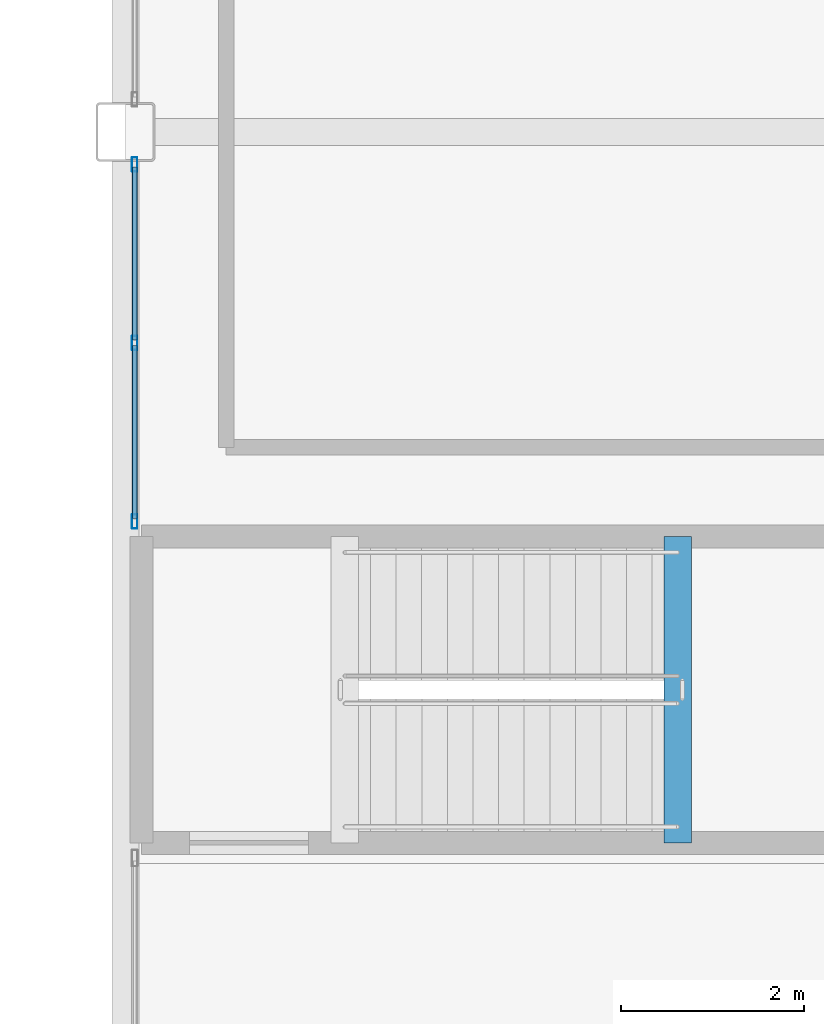
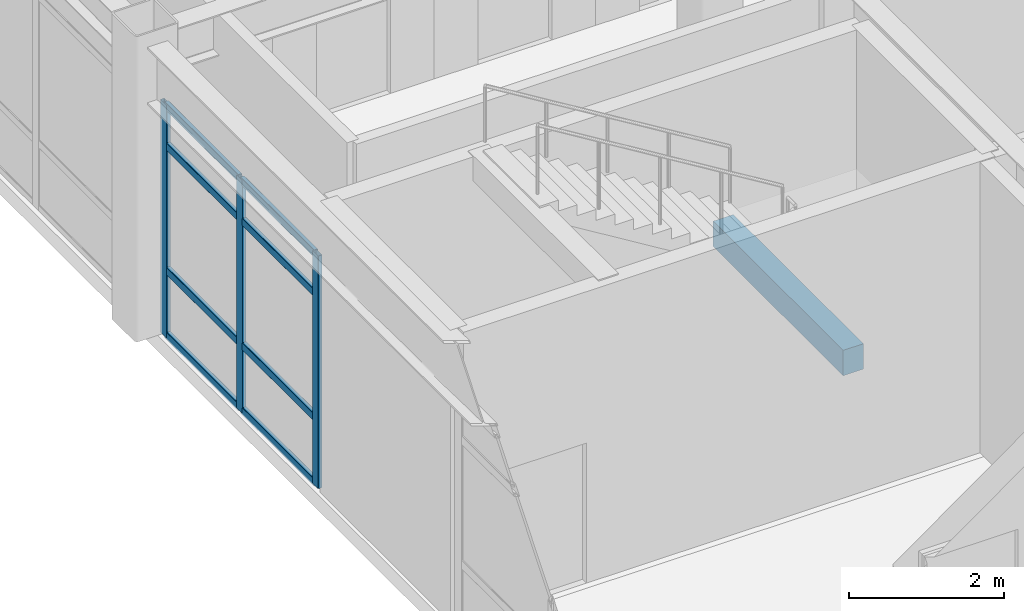
# One storey, part 27 of 61: 11 members, 1 beam, 1 element without a shape of its own.
"""IFC4 building model written with IfcOpenShell, lengths in metres."""

from ifc_helpers import new_model, si_unit, direction, frame, origin, origin_2d, place, context, subcontext, project, spatial, rectangle, hollow_rectangle, extrude, material, layer, layer_set, material_profile, profile_set, type_object, element, aggregate, save


model = new_model("IFC4")

# Units and contexts
model_context = context("Model", 3, precision=1e-05, world=origin(), true_north=direction((0.0, 1.0)))
body_context = subcontext(model_context, "Body", "Model", "MODEL_VIEW")
ifc_project = project(units=[si_unit("LENGTHUNIT", "METRE"), si_unit("AREAUNIT", "SQUARE_METRE"), si_unit("VOLUMEUNIT", "CUBIC_METRE"), si_unit("PLANEANGLEUNIT", "RADIAN"), si_unit("MASSUNIT", "GRAM", prefix="KILO")], contexts=[model_context])

# Site, building, storey
site_placement = place(None, origin())
site = spatial("IfcSite", under=ifc_project, at=site_placement, CompositionType="ELEMENT")
building_placement = place(site_placement, origin())
building = spatial("IfcBuilding", under=site, at=building_placement, Name="Kazehara Bluff Congress Hotel", CompositionType="ELEMENT")
storey_placement = place(building_placement, frame((0.0, 0.0, 19.800048828125)))
storey = spatial("IfcBuildingStorey", under=building, at=storey_placement, Name="L04", CompositionType="ELEMENT", Elevation=19.800048828125)

# Curtain wall, members
ifc_material_1 = material(Name="Anodised aluminium", Category="aluminium")
ifc_layer = layer(ifc_material_1, 0.159912109375)
ifc_layer_set = layer_set([ifc_layer], Name="Anodised aluminium")
curtain_wall_type = type_object("IfcCurtainWallType", Name="TP-CW-169", PredefinedType="NOTDEFINED", material=ifc_layer_set)
curtain_wall_placement = place(storey_placement, origin())
curtain_wall = element("IfcCurtainWall", 1, at=curtain_wall_placement, inside=storey, type_object=curtain_wall_type, Name="L04 curtain wall CW-169 CW-ENC-V5-L04-14380-5414", PredefinedType="NOTDEFINED")
ifc_material_2 = material(Name="Anodised aluminium", Category="aluminium")
ifc_material_profile_1 = material_profile(ifc_material_2, hollow_rectangle(XDim=0.06005859375, YDim=0.159912109375, WallThickness=0.00390625, InnerFilletRadius=0.00390625, OuterFilletRadius=0.008056640625, at=origin_2d()))
ifc_profile_set_1 = profile_set([ifc_material_profile_1], Name="Anodised aluminium")
member_type_1 = type_object("IfcMemberType", Name="TP-CWM-01", PredefinedType="MULLION", material=ifc_profile_set_1)
member_1_placement = place(storey_placement, frame((143.800048828125, 52.18994140625, 0.0), z_axis=(0.0, 0.0, 1.0), x_axis=(-1.0, 0.0, 0.0)))
member_1 = element("IfcMember", 2, at=member_1_placement, type_object=member_type_1, Name="CW-169 mullion 1", PredefinedType="MULLION", context=body_context, shape_type="SweptSolid", body=[
    extrude(hollow_rectangle(XDim=0.06005859375, YDim=0.159912109375, WallThickness=0.00390625, InnerFilletRadius=0.00390625, OuterFilletRadius=0.008056640625, at=origin_2d()), origin(), (0.0, 0.0, 1.0), 3.655029296875),
])
member_2_placement = place(storey_placement, frame((143.800048828125, 54.142578125, 0.0), z_axis=(0.0, 0.0, 1.0), x_axis=(-1.0, 0.0, 0.0)))
member_2 = element("IfcMember", 3, at=member_2_placement, type_object=member_type_1, Name="CW-169 mullion 2", PredefinedType="MULLION", context=body_context, shape_type="SweptSolid", body=[
    extrude(hollow_rectangle(XDim=0.06005859375, YDim=0.159912109375, WallThickness=0.00390625, InnerFilletRadius=0.00390625, OuterFilletRadius=0.008056640625, at=origin_2d()), origin(), (0.0, 0.0, 1.0), 3.655029296875),
])
member_3_placement = place(storey_placement, frame((143.800048828125, 56.094970703125, 0.0), z_axis=(0.0, 0.0, 1.0), x_axis=(-1.0, 0.0, 0.0)))
member_3 = element("IfcMember", 4, at=member_3_placement, type_object=member_type_1, Name="CW-169 mullion 3", PredefinedType="MULLION", context=body_context, shape_type="SweptSolid", body=[
    extrude(hollow_rectangle(XDim=0.06005859375, YDim=0.159912109375, WallThickness=0.00390625, InnerFilletRadius=0.00390625, OuterFilletRadius=0.008056640625, at=origin_2d()), origin(), (0.0, 0.0, 1.0), 3.655029296875),
])
ifc_material_3 = material(Name="Anodised aluminium", Category="aluminium")
ifc_material_profile_2 = material_profile(ifc_material_3, hollow_rectangle(XDim=0.06005859375, YDim=0.1201171875, WallThickness=0.00390625, InnerFilletRadius=0.00390625, OuterFilletRadius=0.008056640625, at=origin_2d()))
ifc_profile_set_2 = profile_set([ifc_material_profile_2], Name="Anodised aluminium")
member_type_2 = type_object("IfcMemberType", Name="TP-CWT-01", PredefinedType="USERDEFINED", material=ifc_profile_set_2)
member_4_placement = place(storey_placement, frame((143.800048828125, 52.219970703125, 0.030029296875), z_axis=(0.0, 1.0, 0.0), x_axis=(-1.0, 0.0, 0.0)))
member_4 = element("IfcMember", 5, at=member_4_placement, type_object=member_type_2, Name="CW-169 transom 1.1", ObjectType="TRANSOM", PredefinedType="USERDEFINED", context=body_context, shape_type="SweptSolid", body=[
    extrude(hollow_rectangle(XDim=0.06005859375, YDim=0.1201171875, WallThickness=0.00390625, InnerFilletRadius=0.00390625, OuterFilletRadius=0.008056640625, at=origin_2d()), origin(), (0.0, 0.0, 1.0), 1.892578125),
])
member_5_placement = place(storey_placement, frame((143.800048828125, 52.219970703125, 1.050048828125), z_axis=(0.0, 1.0, 0.0), x_axis=(-1.0, 0.0, 0.0)))
member_5 = element("IfcMember", 6, at=member_5_placement, type_object=member_type_2, Name="CW-169 transom 1.2", ObjectType="TRANSOM", PredefinedType="USERDEFINED", context=body_context, shape_type="SweptSolid", body=[
    extrude(hollow_rectangle(XDim=0.06005859375, YDim=0.1201171875, WallThickness=0.00390625, InnerFilletRadius=0.00390625, OuterFilletRadius=0.008056640625, at=origin_2d()), origin(), (0.0, 0.0, 1.0), 1.892578125),
])
member_6_placement = place(storey_placement, frame((143.800048828125, 52.219970703125, 3.0048828125), z_axis=(0.0, 1.0, 0.0), x_axis=(-1.0, 0.0, 0.0)))
member_6 = element("IfcMember", 7, at=member_6_placement, type_object=member_type_2, Name="CW-169 transom 1.3", ObjectType="TRANSOM", PredefinedType="USERDEFINED", context=body_context, shape_type="SweptSolid", body=[
    extrude(hollow_rectangle(XDim=0.06005859375, YDim=0.1201171875, WallThickness=0.00390625, InnerFilletRadius=0.00390625, OuterFilletRadius=0.008056640625, at=origin_2d()), origin(), (0.0, 0.0, 1.0), 1.892578125),
])
member_7_placement = place(storey_placement, frame((143.800048828125, 52.219970703125, 3.625), z_axis=(0.0, 1.0, 0.0), x_axis=(-1.0, 0.0, 0.0)))
member_7 = element("IfcMember", 8, at=member_7_placement, type_object=member_type_2, Name="CW-169 transom 1.4", ObjectType="TRANSOM", PredefinedType="USERDEFINED", context=body_context, shape_type="SweptSolid", body=[
    extrude(hollow_rectangle(XDim=0.06005859375, YDim=0.1201171875, WallThickness=0.00390625, InnerFilletRadius=0.00390625, OuterFilletRadius=0.008056640625, at=origin_2d()), origin(), (0.0, 0.0, 1.0), 1.892578125),
])
member_8_placement = place(storey_placement, frame((143.800048828125, 54.172607421875, 0.030029296875), z_axis=(0.0, 1.0, 0.0), x_axis=(-1.0, 0.0, 0.0)))
member_8 = element("IfcMember", 9, at=member_8_placement, type_object=member_type_2, Name="CW-169 transom 2.1", ObjectType="TRANSOM", PredefinedType="USERDEFINED", context=body_context, shape_type="SweptSolid", body=[
    extrude(hollow_rectangle(XDim=0.06005859375, YDim=0.1201171875, WallThickness=0.00390625, InnerFilletRadius=0.00390625, OuterFilletRadius=0.008056640625, at=origin_2d()), origin(), (0.0, 0.0, 1.0), 1.892333984375),
])
member_9_placement = place(storey_placement, frame((143.800048828125, 54.172607421875, 1.050048828125), z_axis=(0.0, 1.0, 0.0), x_axis=(-1.0, 0.0, 0.0)))
member_9 = element("IfcMember", 10, at=member_9_placement, type_object=member_type_2, Name="CW-169 transom 2.2", ObjectType="TRANSOM", PredefinedType="USERDEFINED", context=body_context, shape_type="SweptSolid", body=[
    extrude(hollow_rectangle(XDim=0.06005859375, YDim=0.1201171875, WallThickness=0.00390625, InnerFilletRadius=0.00390625, OuterFilletRadius=0.008056640625, at=origin_2d()), origin(), (0.0, 0.0, 1.0), 1.892333984375),
])
member_10_placement = place(storey_placement, frame((143.800048828125, 54.172607421875, 3.0048828125), z_axis=(0.0, 1.0, 0.0), x_axis=(-1.0, 0.0, 0.0)))
member_10 = element("IfcMember", 11, at=member_10_placement, type_object=member_type_2, Name="CW-169 transom 2.3", ObjectType="TRANSOM", PredefinedType="USERDEFINED", context=body_context, shape_type="SweptSolid", body=[
    extrude(hollow_rectangle(XDim=0.06005859375, YDim=0.1201171875, WallThickness=0.00390625, InnerFilletRadius=0.00390625, OuterFilletRadius=0.008056640625, at=origin_2d()), origin(), (0.0, 0.0, 1.0), 1.892333984375),
])
member_11_placement = place(storey_placement, frame((143.800048828125, 54.172607421875, 3.625), z_axis=(0.0, 1.0, 0.0), x_axis=(-1.0, 0.0, 0.0)))
member_11 = element("IfcMember", 12, at=member_11_placement, type_object=member_type_2, Name="CW-169 transom 2.4", ObjectType="TRANSOM", PredefinedType="USERDEFINED", context=body_context, shape_type="SweptSolid", body=[
    extrude(hollow_rectangle(XDim=0.06005859375, YDim=0.1201171875, WallThickness=0.00390625, InnerFilletRadius=0.00390625, OuterFilletRadius=0.008056640625, at=origin_2d()), origin(), (0.0, 0.0, 1.0), 1.892333984375),
])
aggregate(curtain_wall, [member_1, member_2, member_3, member_4, member_5, member_6, member_7, member_8, member_9, member_10, member_11])

# Beam
ifc_material_4 = material(Name="Concrete C40/50", Category="concrete")
ifc_material_profile_3 = material_profile(ifc_material_4, rectangle(XDim=0.300048828125, YDim=0.39990234375, at=origin_2d()))
ifc_profile_set_3 = profile_set([ifc_material_profile_3], Name="Concrete C40/50")
beam_type = type_object("IfcBeamType", Name="TP-LN-02", PredefinedType="LINTEL", material=ifc_profile_set_3)
beam_placement = place(storey_placement, frame((149.739990234375, 48.675048828125, 2.02001953125), z_axis=(0.0, 1.0, 0.0), x_axis=(-1.0, 0.0, 0.0)))
element("IfcBeam", 13, at=beam_placement, inside=storey, type_object=beam_type, Name="L04 ST-11 half-landing support beam 1", PredefinedType="LINTEL", context=body_context, shape_type="SweptSolid", body=[
    extrude(rectangle(XDim=0.300048828125, YDim=0.39990234375, at=origin_2d()), origin(), (0.0, 0.0, 1.0), 3.349853515625),
])

save(model, "model.ifc")
